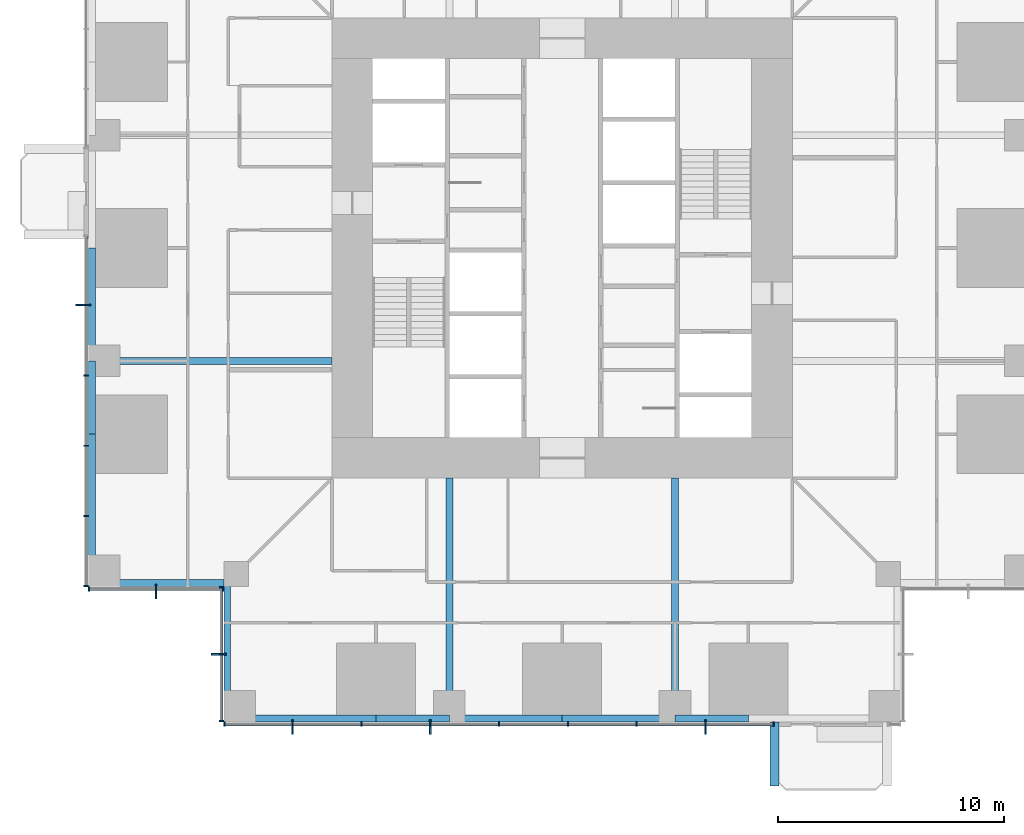
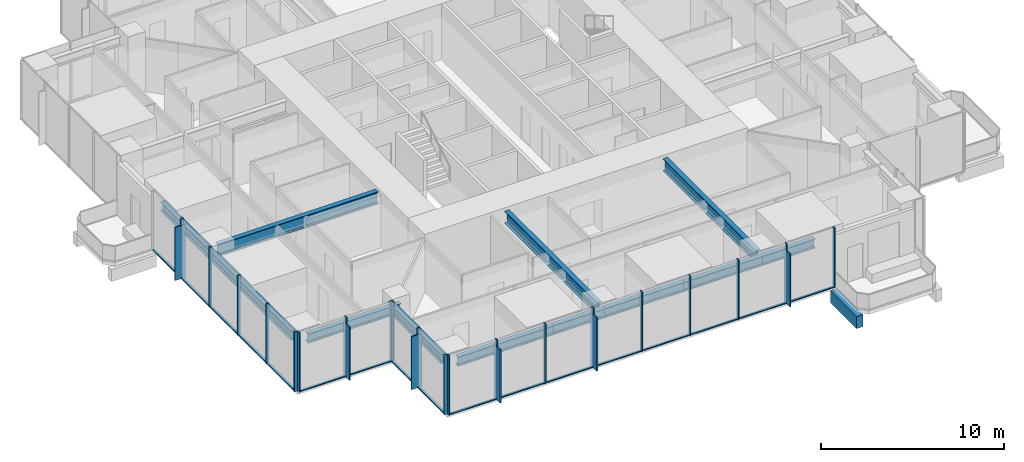
# One storey, part 2 of 17: 43 members, 14 beams, 4 elements without a shape of their own.
"""IFC4 building model written with IfcOpenShell, lengths in metres."""

from ifc_helpers import new_model, si_unit, direction, frame, origin, origin_2d, place, context, subcontext, project, spatial, rectangle, i_section, extrude, material, material_profile, profile_set, type_object, element, aggregate, save


model = new_model("IFC4")

# Units and contexts
model_context = context("Model", 3, precision=1e-05, world=origin(), true_north=direction((0.0, 1.0)))
body_context = subcontext(model_context, "Body", "Model", "MODEL_VIEW")
ifc_project = project(units=[si_unit("LENGTHUNIT", "METRE"), si_unit("AREAUNIT", "SQUARE_METRE"), si_unit("VOLUMEUNIT", "CUBIC_METRE"), si_unit("PLANEANGLEUNIT", "RADIAN"), si_unit("MASSUNIT", "GRAM", prefix="KILO")], contexts=[model_context])

# Site, building, storey
site_placement = place(None, origin())
site = spatial("IfcSite", under=ifc_project, at=site_placement, CompositionType="ELEMENT")
building_placement = place(site_placement, origin())
building = spatial("IfcBuilding", under=site, at=building_placement, Name="Svetlomir Tower", CompositionType="ELEMENT")
storey_placement = place(building_placement, frame((0.0, 0.0, 82.5)))
storey = spatial("IfcBuildingStorey", under=building, at=storey_placement, Name="L19", CompositionType="ELEMENT", Elevation=82.5)

# Beam
ifc_material_1 = material(Name="Concrete C60/75", Category="concrete")
ifc_material_profile_1 = material_profile(ifc_material_1, rectangle(XDim=0.39990234375, YDim=0.800048828125, at=origin_2d()), Name="RC 400x800")
ifc_profile_set_1 = profile_set([ifc_material_profile_1], Name="Concrete C60/75")
beam_type_1 = type_object("IfcBeamType", Name="BALCONY RIB RC 400x800", PredefinedType="BEAM", material=ifc_profile_set_1)
beam_1_placement = place(storey_placement, frame((30.39990234375, 0.0, -0.64990234375), z_axis=(0.0, -1.0, 0.0), x_axis=(1.0, 0.0, 0.0)))
element("IfcBeam", 1, at=beam_1_placement, inside=storey, type_object=beam_type_1, Name="Balcony rib S 1 L19", PredefinedType="BEAM", context=body_context, shape_type="SweptSolid", body=[
    extrude(rectangle(XDim=0.39990234375, YDim=0.800048828125, at=origin_2d()), origin(), (0.0, 0.0, 1.0), 2.85009765625),
])

# Curtain wall, members
ifc_material_2 = material(Name="Bronze anodised aluminium curtain wall", Category="aluminium")
curtain_wall_type = type_object("IfcCurtainWallType", Name="CURTAIN WALL CW1 TOWER OFFICE", PredefinedType="NOTDEFINED", material=ifc_material_2)
curtain_wall_1_placement = place(storey_placement, origin())
curtain_wall_1 = element("IfcCurtainWall", 2, at=curtain_wall_1_placement, inside=storey, type_object=curtain_wall_type, Name="Curtain wall CW1 L19", PredefinedType="NOTDEFINED")
ifc_material_3 = material(Name="Bronze anodised aluminium", Category="aluminium")
ifc_material_profile_2 = material_profile(ifc_material_3, rectangle(XDim=0.080078125, YDim=0.64990234375, at=origin_2d()), Name="FIN 80x650")
ifc_profile_set_2 = profile_set([ifc_material_profile_2], Name="Bronze anodised aluminium 6063-T6")
member_type_1 = type_object("IfcMemberType", Name="BRONZE FIN 80x650", PredefinedType="USERDEFINED", material=ifc_profile_set_2)
member_1_placement = place(storey_placement, frame((9.050048828125, -0.22509765625, 0.0), z_axis=(0.0, 0.0, 1.0), x_axis=(1.0, 0.0, 0.0)))
member_1 = element("IfcMember", 3, at=member_1_placement, type_object=member_type_1, Name="Bronze fin L19", ObjectType="FIN", PredefinedType="USERDEFINED", context=body_context, shape_type="SweptSolid", body=[
    extrude(rectangle(XDim=0.080078125, YDim=0.64990234375, at=origin_2d()), origin(), (0.0, 0.0, 1.0), 3.550048828125),
])
member_2_placement = place(storey_placement, frame((15.14990234375, -0.22509765625, 0.0), z_axis=(0.0, 0.0, 1.0), x_axis=(1.0, 0.0, 0.0)))
member_2 = element("IfcMember", 4, at=member_2_placement, type_object=member_type_1, Name="Bronze fin L19", ObjectType="FIN", PredefinedType="USERDEFINED", context=body_context, shape_type="SweptSolid", body=[
    extrude(rectangle(XDim=0.080078125, YDim=0.64990234375, at=origin_2d()), origin(), (0.0, 0.0, 1.0), 3.550048828125),
])
member_3_placement = place(storey_placement, frame((27.35009765625, -0.22509765625, 0.0), z_axis=(0.0, 0.0, 1.0), x_axis=(1.0, 0.0, 0.0)))
member_3 = element("IfcMember", 5, at=member_3_placement, type_object=member_type_1, Name="Bronze fin L19", ObjectType="FIN", PredefinedType="USERDEFINED", context=body_context, shape_type="SweptSolid", body=[
    extrude(rectangle(XDim=0.080078125, YDim=0.64990234375, at=origin_2d()), origin(), (0.0, 0.0, 1.0), 3.550048828125),
])

# Curtain wall, member
curtain_wall_2_placement = place(storey_placement, origin())
curtain_wall_2 = element("IfcCurtainWall", 6, at=curtain_wall_2_placement, inside=storey, type_object=curtain_wall_type, Name="Curtain wall CW1 L19", PredefinedType="NOTDEFINED")
member_4_placement = place(storey_placement, frame((-0.22509765625, 18.47998046875, 0.0), z_axis=(0.0, 0.0, 1.0), x_axis=(0.0, 1.0, 0.0)))
member_4 = element("IfcMember", 7, at=member_4_placement, type_object=member_type_1, Name="Bronze fin L19", ObjectType="FIN", PredefinedType="USERDEFINED", context=body_context, shape_type="SweptSolid", body=[
    extrude(rectangle(XDim=0.080078125, YDim=0.64990234375, at=origin_2d()), origin(), (0.0, 0.0, 1.0), 3.550048828125),
])

curtain_wall_3_placement = place(storey_placement, origin())
curtain_wall_3 = element("IfcCurtainWall", 8, at=curtain_wall_3_placement, inside=storey, type_object=curtain_wall_type, Name="Curtain wall CW1 L19", PredefinedType="NOTDEFINED")
member_5_placement = place(storey_placement, frame((3.0, 5.77490234375, 0.0), z_axis=(0.0, 0.0, 1.0), x_axis=(1.0, 0.0, 0.0)))
member_5 = element("IfcMember", 9, at=member_5_placement, type_object=member_type_1, Name="Bronze fin L19", ObjectType="FIN", PredefinedType="USERDEFINED", context=body_context, shape_type="SweptSolid", body=[
    extrude(rectangle(XDim=0.080078125, YDim=0.64990234375, at=origin_2d()), origin(), (0.0, 0.0, 1.0), 3.550048828125),
])

curtain_wall_4_placement = place(storey_placement, origin())
curtain_wall_4 = element("IfcCurtainWall", 10, at=curtain_wall_4_placement, inside=storey, type_object=curtain_wall_type, Name="Curtain wall CW1 L19", PredefinedType="NOTDEFINED")
member_6_placement = place(storey_placement, frame((5.77490234375, 3.0, 0.0), z_axis=(0.0, 0.0, 1.0), x_axis=(0.0, 1.0, 0.0)))
member_6 = element("IfcMember", 11, at=member_6_placement, type_object=member_type_1, Name="Bronze fin L19", ObjectType="FIN", PredefinedType="USERDEFINED", context=body_context, shape_type="SweptSolid", body=[
    extrude(rectangle(XDim=0.080078125, YDim=0.64990234375, at=origin_2d()), origin(), (0.0, 0.0, 1.0), 3.550048828125),
])

# Member
ifc_material_4 = material(Name="Bronze anodised aluminium", Category="aluminium")
ifc_material_profile_3 = material_profile(ifc_material_4, rectangle(XDim=0.06494140625, YDim=0.199951171875, at=origin_2d()), Name="AL 65x200")
ifc_profile_set_3 = profile_set([ifc_material_profile_3], Name="Bronze anodised aluminium 6063-T6")
member_type_2 = type_object("IfcMemberType", Name="CW1 MULLION 65x200", PredefinedType="MULLION", material=ifc_profile_set_3)
member_7_placement = place(storey_placement, frame((6.032470703125, -0.10009765625, 0.0), z_axis=(0.0, 0.0, 1.0), x_axis=(1.0, 0.0, 0.0)))
member_7 = element("IfcMember", 12, at=member_7_placement, type_object=member_type_2, Name="CW1 mullion 1", PredefinedType="MULLION", context=body_context, shape_type="SweptSolid", body=[
    extrude(rectangle(XDim=0.06494140625, YDim=0.199951171875, at=origin_2d()), origin(), (0.0, 0.0, 1.0), 4.0),
])

member_8_placement = place(storey_placement, frame((9.050048828125, -0.10009765625, 0.0), z_axis=(0.0, 0.0, 1.0), x_axis=(1.0, 0.0, 0.0)))
member_8 = element("IfcMember", 13, at=member_8_placement, type_object=member_type_2, Name="CW1 mullion 2", PredefinedType="MULLION", context=body_context, shape_type="SweptSolid", body=[
    extrude(rectangle(XDim=0.06494140625, YDim=0.199951171875, at=origin_2d()), origin(), (0.0, 0.0, 1.0), 4.0),
])

member_9_placement = place(storey_placement, frame((12.10009765625, -0.10009765625, 0.0), z_axis=(0.0, 0.0, 1.0), x_axis=(1.0, 0.0, 0.0)))
member_9 = element("IfcMember", 14, at=member_9_placement, type_object=member_type_2, Name="CW1 mullion 3", PredefinedType="MULLION", context=body_context, shape_type="SweptSolid", body=[
    extrude(rectangle(XDim=0.06494140625, YDim=0.199951171875, at=origin_2d()), origin(), (0.0, 0.0, 1.0), 4.0),
])

member_10_placement = place(storey_placement, frame((15.14990234375, -0.10009765625, 0.0), z_axis=(0.0, 0.0, 1.0), x_axis=(1.0, 0.0, 0.0)))
member_10 = element("IfcMember", 15, at=member_10_placement, type_object=member_type_2, Name="CW1 mullion 4", PredefinedType="MULLION", context=body_context, shape_type="SweptSolid", body=[
    extrude(rectangle(XDim=0.06494140625, YDim=0.199951171875, at=origin_2d()), origin(), (0.0, 0.0, 1.0), 4.0),
])

member_11_placement = place(storey_placement, frame((18.199951171875, -0.10009765625, 0.0), z_axis=(0.0, 0.0, 1.0), x_axis=(1.0, 0.0, 0.0)))
member_11 = element("IfcMember", 16, at=member_11_placement, type_object=member_type_2, Name="CW1 mullion 5", PredefinedType="MULLION", context=body_context, shape_type="SweptSolid", body=[
    extrude(rectangle(XDim=0.06494140625, YDim=0.199951171875, at=origin_2d()), origin(), (0.0, 0.0, 1.0), 4.0),
])

member_12_placement = place(storey_placement, frame((21.25, -0.10009765625, 0.0), z_axis=(0.0, 0.0, 1.0), x_axis=(1.0, 0.0, 0.0)))
member_12 = element("IfcMember", 17, at=member_12_placement, type_object=member_type_2, Name="CW1 mullion 6", PredefinedType="MULLION", context=body_context, shape_type="SweptSolid", body=[
    extrude(rectangle(XDim=0.06494140625, YDim=0.199951171875, at=origin_2d()), origin(), (0.0, 0.0, 1.0), 4.0),
])

member_13_placement = place(storey_placement, frame((24.300048828125, -0.10009765625, 0.0), z_axis=(0.0, 0.0, 1.0), x_axis=(1.0, 0.0, 0.0)))
member_13 = element("IfcMember", 18, at=member_13_placement, type_object=member_type_2, Name="CW1 mullion 7", PredefinedType="MULLION", context=body_context, shape_type="SweptSolid", body=[
    extrude(rectangle(XDim=0.06494140625, YDim=0.199951171875, at=origin_2d()), origin(), (0.0, 0.0, 1.0), 4.0),
])

member_14_placement = place(storey_placement, frame((27.35009765625, -0.10009765625, 0.0), z_axis=(0.0, 0.0, 1.0), x_axis=(1.0, 0.0, 0.0)))
member_14 = element("IfcMember", 19, at=member_14_placement, type_object=member_type_2, Name="CW1 mullion 8", PredefinedType="MULLION", context=body_context, shape_type="SweptSolid", body=[
    extrude(rectangle(XDim=0.06494140625, YDim=0.199951171875, at=origin_2d()), origin(), (0.0, 0.0, 1.0), 4.0),
])

member_15_placement = place(storey_placement, frame((30.367431640625, -0.10009765625, 0.0), z_axis=(0.0, 0.0, 1.0), x_axis=(1.0, 0.0, 0.0)))
member_15 = element("IfcMember", 20, at=member_15_placement, type_object=member_type_2, Name="CW1 mullion 9", PredefinedType="MULLION", context=body_context, shape_type="SweptSolid", body=[
    extrude(rectangle(XDim=0.06494140625, YDim=0.199951171875, at=origin_2d()), origin(), (0.0, 0.0, 1.0), 4.0),
])

member_16_placement = place(storey_placement, frame((-0.10009765625, 18.47998046875, 0.0), z_axis=(0.0, 0.0, 1.0), x_axis=(0.0, -1.0, 0.0)))
member_16 = element("IfcMember", 21, at=member_16_placement, type_object=member_type_2, Name="CW1 mullion 2", PredefinedType="MULLION", context=body_context, shape_type="SweptSolid", body=[
    extrude(rectangle(XDim=0.06494140625, YDim=0.199951171875, at=origin_2d()), origin(), (0.0, 0.0, 1.0), 4.0),
])

member_17_placement = place(storey_placement, frame((-0.10009765625, 15.360107421875, 0.0), z_axis=(0.0, 0.0, 1.0), x_axis=(0.0, -1.0, 0.0)))
member_17 = element("IfcMember", 22, at=member_17_placement, type_object=member_type_2, Name="CW1 mullion 3", PredefinedType="MULLION", context=body_context, shape_type="SweptSolid", body=[
    extrude(rectangle(XDim=0.06494140625, YDim=0.199951171875, at=origin_2d()), origin(), (0.0, 0.0, 1.0), 4.0),
])

member_18_placement = place(storey_placement, frame((-0.10009765625, 12.239990234375, 0.0), z_axis=(0.0, 0.0, 1.0), x_axis=(0.0, -1.0, 0.0)))
member_18 = element("IfcMember", 23, at=member_18_placement, type_object=member_type_2, Name="CW1 mullion 4", PredefinedType="MULLION", context=body_context, shape_type="SweptSolid", body=[
    extrude(rectangle(XDim=0.06494140625, YDim=0.199951171875, at=origin_2d()), origin(), (0.0, 0.0, 1.0), 4.0),
])

member_19_placement = place(storey_placement, frame((-0.10009765625, 9.1201171875, 0.0), z_axis=(0.0, 0.0, 1.0), x_axis=(0.0, -1.0, 0.0)))
member_19 = element("IfcMember", 24, at=member_19_placement, type_object=member_type_2, Name="CW1 mullion 5", PredefinedType="MULLION", context=body_context, shape_type="SweptSolid", body=[
    extrude(rectangle(XDim=0.06494140625, YDim=0.199951171875, at=origin_2d()), origin(), (0.0, 0.0, 1.0), 4.0),
])

member_20_placement = place(storey_placement, frame((-0.10009765625, 6.032470703125, 0.0), z_axis=(0.0, 0.0, 1.0), x_axis=(0.0, -1.0, 0.0)))
member_20 = element("IfcMember", 25, at=member_20_placement, type_object=member_type_2, Name="CW1 mullion 6", PredefinedType="MULLION", context=body_context, shape_type="SweptSolid", body=[
    extrude(rectangle(XDim=0.06494140625, YDim=0.199951171875, at=origin_2d()), origin(), (0.0, 0.0, 1.0), 4.0),
])

member_21_placement = place(storey_placement, frame((0.032470703125, 5.89990234375, 0.0), z_axis=(0.0, 0.0, 1.0), x_axis=(1.0, 0.0, 0.0)))
member_21 = element("IfcMember", 26, at=member_21_placement, type_object=member_type_2, Name="CW1 mullion 1", PredefinedType="MULLION", context=body_context, shape_type="SweptSolid", body=[
    extrude(rectangle(XDim=0.06494140625, YDim=0.199951171875, at=origin_2d()), origin(), (0.0, 0.0, 1.0), 4.0),
])

member_22_placement = place(storey_placement, frame((3.0, 5.89990234375, 0.0), z_axis=(0.0, 0.0, 1.0), x_axis=(1.0, 0.0, 0.0)))
member_22 = element("IfcMember", 27, at=member_22_placement, type_object=member_type_2, Name="CW1 mullion 2", PredefinedType="MULLION", context=body_context, shape_type="SweptSolid", body=[
    extrude(rectangle(XDim=0.06494140625, YDim=0.199951171875, at=origin_2d()), origin(), (0.0, 0.0, 1.0), 4.0),
])

member_23_placement = place(storey_placement, frame((5.967529296875, 5.89990234375, 0.0), z_axis=(0.0, 0.0, 1.0), x_axis=(1.0, 0.0, 0.0)))
member_23 = element("IfcMember", 28, at=member_23_placement, type_object=member_type_2, Name="CW1 mullion 3", PredefinedType="MULLION", context=body_context, shape_type="SweptSolid", body=[
    extrude(rectangle(XDim=0.06494140625, YDim=0.199951171875, at=origin_2d()), origin(), (0.0, 0.0, 1.0), 4.0),
])

member_24_placement = place(storey_placement, frame((5.89990234375, 5.967529296875, 0.0), z_axis=(0.0, 0.0, 1.0), x_axis=(0.0, -1.0, 0.0)))
member_24 = element("IfcMember", 29, at=member_24_placement, type_object=member_type_2, Name="CW1 mullion 1", PredefinedType="MULLION", context=body_context, shape_type="SweptSolid", body=[
    extrude(rectangle(XDim=0.06494140625, YDim=0.199951171875, at=origin_2d()), origin(), (0.0, 0.0, 1.0), 4.0),
])

member_25_placement = place(storey_placement, frame((5.89990234375, 3.0, 0.0), z_axis=(0.0, 0.0, 1.0), x_axis=(0.0, -1.0, 0.0)))
member_25 = element("IfcMember", 30, at=member_25_placement, type_object=member_type_2, Name="CW1 mullion 2", PredefinedType="MULLION", context=body_context, shape_type="SweptSolid", body=[
    extrude(rectangle(XDim=0.06494140625, YDim=0.199951171875, at=origin_2d()), origin(), (0.0, 0.0, 1.0), 4.0),
])

member_26_placement = place(storey_placement, frame((5.89990234375, 0.032470703125, 0.0), z_axis=(0.0, 0.0, 1.0), x_axis=(0.0, -1.0, 0.0)))
member_26 = element("IfcMember", 31, at=member_26_placement, type_object=member_type_2, Name="CW1 mullion 3", PredefinedType="MULLION", context=body_context, shape_type="SweptSolid", body=[
    extrude(rectangle(XDim=0.06494140625, YDim=0.199951171875, at=origin_2d()), origin(), (0.0, 0.0, 1.0), 4.0),
])

ifc_material_5 = material(Name="Bronze anodised aluminium", Category="aluminium")
ifc_material_profile_4 = material_profile(ifc_material_5, rectangle(XDim=0.139892578125, YDim=0.06494140625, at=origin_2d()), Name="AL 140x65")
ifc_profile_set_4 = profile_set([ifc_material_profile_4], Name="Bronze anodised aluminium 6063-T6")
member_type_3 = type_object("IfcMemberType", Name="CW1 TRANSOM 65x140", PredefinedType="USERDEFINED", material=ifc_profile_set_4)
member_27_placement = place(storey_placement, frame((6.06494140625, -0.10009765625, 0.032470703125), z_axis=(1.0, 0.0, 0.0), x_axis=(0.0, 1.0, 0.0)))
member_27 = element("IfcMember", 32, at=member_27_placement, type_object=member_type_3, Name="CW1 transom 1.1", ObjectType="TRANSOM", PredefinedType="USERDEFINED", context=body_context, shape_type="SweptSolid", body=[
    extrude(rectangle(XDim=0.139892578125, YDim=0.06494140625, at=origin_2d()), origin(), (0.0, 0.0, 1.0), 2.95263671875),
])

member_28_placement = place(storey_placement, frame((9.08251953125, -0.10009765625, 0.032470703125), z_axis=(1.0, 0.0, 0.0), x_axis=(0.0, 1.0, 0.0)))
member_28 = element("IfcMember", 33, at=member_28_placement, type_object=member_type_3, Name="CW1 transom 2.1", ObjectType="TRANSOM", PredefinedType="USERDEFINED", context=body_context, shape_type="SweptSolid", body=[
    extrude(rectangle(XDim=0.139892578125, YDim=0.06494140625, at=origin_2d()), origin(), (0.0, 0.0, 1.0), 2.98486328125),
])

member_29_placement = place(storey_placement, frame((12.132568359375, -0.10009765625, 0.032470703125), z_axis=(1.0, 0.0, 0.0), x_axis=(0.0, 1.0, 0.0)))
member_29 = element("IfcMember", 34, at=member_29_placement, type_object=member_type_3, Name="CW1 transom 3.1", ObjectType="TRANSOM", PredefinedType="USERDEFINED", context=body_context, shape_type="SweptSolid", body=[
    extrude(rectangle(XDim=0.139892578125, YDim=0.06494140625, at=origin_2d()), origin(), (0.0, 0.0, 1.0), 2.98486328125),
])

member_30_placement = place(storey_placement, frame((15.1826171875, -0.10009765625, 0.032470703125), z_axis=(1.0, 0.0, 0.0), x_axis=(0.0, 1.0, 0.0)))
member_30 = element("IfcMember", 35, at=member_30_placement, type_object=member_type_3, Name="CW1 transom 4.1", ObjectType="TRANSOM", PredefinedType="USERDEFINED", context=body_context, shape_type="SweptSolid", body=[
    extrude(rectangle(XDim=0.139892578125, YDim=0.06494140625, at=origin_2d()), origin(), (0.0, 0.0, 1.0), 2.98486328125),
])

member_31_placement = place(storey_placement, frame((18.232421875, -0.10009765625, 0.032470703125), z_axis=(1.0, 0.0, 0.0), x_axis=(0.0, 1.0, 0.0)))
member_31 = element("IfcMember", 36, at=member_31_placement, type_object=member_type_3, Name="CW1 transom 5.1", ObjectType="TRANSOM", PredefinedType="USERDEFINED", context=body_context, shape_type="SweptSolid", body=[
    extrude(rectangle(XDim=0.139892578125, YDim=0.06494140625, at=origin_2d()), origin(), (0.0, 0.0, 1.0), 2.985107421875),
])

member_32_placement = place(storey_placement, frame((21.282470703125, -0.10009765625, 0.032470703125), z_axis=(1.0, 0.0, 0.0), x_axis=(0.0, 1.0, 0.0)))
member_32 = element("IfcMember", 37, at=member_32_placement, type_object=member_type_3, Name="CW1 transom 6.1", ObjectType="TRANSOM", PredefinedType="USERDEFINED", context=body_context, shape_type="SweptSolid", body=[
    extrude(rectangle(XDim=0.139892578125, YDim=0.06494140625, at=origin_2d()), origin(), (0.0, 0.0, 1.0), 2.985107421875),
])

member_33_placement = place(storey_placement, frame((24.33251953125, -0.10009765625, 0.032470703125), z_axis=(1.0, 0.0, 0.0), x_axis=(0.0, 1.0, 0.0)))
member_33 = element("IfcMember", 38, at=member_33_placement, type_object=member_type_3, Name="CW1 transom 7.1", ObjectType="TRANSOM", PredefinedType="USERDEFINED", context=body_context, shape_type="SweptSolid", body=[
    extrude(rectangle(XDim=0.139892578125, YDim=0.06494140625, at=origin_2d()), origin(), (0.0, 0.0, 1.0), 2.98486328125),
])

member_34_placement = place(storey_placement, frame((27.382568359375, -0.10009765625, 0.032470703125), z_axis=(1.0, 0.0, 0.0), x_axis=(0.0, 1.0, 0.0)))
member_34 = element("IfcMember", 39, at=member_34_placement, type_object=member_type_3, Name="CW1 transom 8.1", ObjectType="TRANSOM", PredefinedType="USERDEFINED", context=body_context, shape_type="SweptSolid", body=[
    extrude(rectangle(XDim=0.139892578125, YDim=0.06494140625, at=origin_2d()), origin(), (0.0, 0.0, 1.0), 2.952392578125),
])

aggregate(curtain_wall_1, [member_7, member_8, member_9, member_10, member_11, member_12, member_13, member_14, member_15, member_27, member_28, member_29, member_30, member_31, member_32, member_33, member_34, member_1, member_2, member_3])

member_35_placement = place(storey_placement, frame((-0.10009765625, 21.534912109375, 0.032470703125), z_axis=(0.0, -1.0, 0.0), x_axis=(1.0, 0.0, 0.0)))
member_35 = element("IfcMember", 40, at=member_35_placement, type_object=member_type_3, Name="CW1 transom 1.1", ObjectType="TRANSOM", PredefinedType="USERDEFINED", context=body_context, shape_type="SweptSolid", body=[
    extrude(rectangle(XDim=0.139892578125, YDim=0.06494140625, at=origin_2d()), origin(), (0.0, 0.0, 1.0), 3.0224609375),
])

member_36_placement = place(storey_placement, frame((-0.10009765625, 18.447509765625, 0.032470703125), z_axis=(0.0, -1.0, 0.0), x_axis=(1.0, 0.0, 0.0)))
member_36 = element("IfcMember", 41, at=member_36_placement, type_object=member_type_3, Name="CW1 transom 2.1", ObjectType="TRANSOM", PredefinedType="USERDEFINED", context=body_context, shape_type="SweptSolid", body=[
    extrude(rectangle(XDim=0.139892578125, YDim=0.06494140625, at=origin_2d()), origin(), (0.0, 0.0, 1.0), 3.054931640625),
])

member_37_placement = place(storey_placement, frame((-0.10009765625, 15.327392578125, 0.032470703125), z_axis=(0.0, -1.0, 0.0), x_axis=(1.0, 0.0, 0.0)))
member_37 = element("IfcMember", 42, at=member_37_placement, type_object=member_type_3, Name="CW1 transom 3.1", ObjectType="TRANSOM", PredefinedType="USERDEFINED", context=body_context, shape_type="SweptSolid", body=[
    extrude(rectangle(XDim=0.139892578125, YDim=0.06494140625, at=origin_2d()), origin(), (0.0, 0.0, 1.0), 3.054931640625),
])

member_38_placement = place(storey_placement, frame((-0.10009765625, 12.20751953125, 0.032470703125), z_axis=(0.0, -1.0, 0.0), x_axis=(1.0, 0.0, 0.0)))
member_38 = element("IfcMember", 43, at=member_38_placement, type_object=member_type_3, Name="CW1 transom 4.1", ObjectType="TRANSOM", PredefinedType="USERDEFINED", context=body_context, shape_type="SweptSolid", body=[
    extrude(rectangle(XDim=0.139892578125, YDim=0.06494140625, at=origin_2d()), origin(), (0.0, 0.0, 1.0), 3.054931640625),
])

member_39_placement = place(storey_placement, frame((-0.10009765625, 9.08740234375, 0.032470703125), z_axis=(0.0, -1.0, 0.0), x_axis=(1.0, 0.0, 0.0)))
member_39 = element("IfcMember", 44, at=member_39_placement, type_object=member_type_3, Name="CW1 transom 5.1", ObjectType="TRANSOM", PredefinedType="USERDEFINED", context=body_context, shape_type="SweptSolid", body=[
    extrude(rectangle(XDim=0.139892578125, YDim=0.06494140625, at=origin_2d()), origin(), (0.0, 0.0, 1.0), 3.0224609375),
])

aggregate(curtain_wall_2, [member_16, member_17, member_18, member_19, member_20, member_35, member_36, member_37, member_38, member_39, member_4])

member_40_placement = place(storey_placement, frame((0.06494140625, 5.89990234375, 0.032470703125), z_axis=(1.0, 0.0, 0.0), x_axis=(0.0, 1.0, 0.0)))
member_40 = element("IfcMember", 45, at=member_40_placement, type_object=member_type_3, Name="CW1 transom 1.1", ObjectType="TRANSOM", PredefinedType="USERDEFINED", context=body_context, shape_type="SweptSolid", body=[
    extrude(rectangle(XDim=0.139892578125, YDim=0.06494140625, at=origin_2d()), origin(), (0.0, 0.0, 1.0), 2.902587890625),
])

member_41_placement = place(storey_placement, frame((3.032470703125, 5.89990234375, 0.032470703125), z_axis=(1.0, 0.0, 0.0), x_axis=(0.0, 1.0, 0.0)))
member_41 = element("IfcMember", 46, at=member_41_placement, type_object=member_type_3, Name="CW1 transom 2.1", ObjectType="TRANSOM", PredefinedType="USERDEFINED", context=body_context, shape_type="SweptSolid", body=[
    extrude(rectangle(XDim=0.139892578125, YDim=0.06494140625, at=origin_2d()), origin(), (0.0, 0.0, 1.0), 2.902587890625),
])

aggregate(curtain_wall_3, [member_21, member_22, member_23, member_40, member_41, member_5])

member_42_placement = place(storey_placement, frame((5.89990234375, 5.93505859375, 0.032470703125), z_axis=(0.0, -1.0, 0.0), x_axis=(1.0, 0.0, 0.0)))
member_42 = element("IfcMember", 47, at=member_42_placement, type_object=member_type_3, Name="CW1 transom 1.1", ObjectType="TRANSOM", PredefinedType="USERDEFINED", context=body_context, shape_type="SweptSolid", body=[
    extrude(rectangle(XDim=0.139892578125, YDim=0.06494140625, at=origin_2d()), origin(), (0.0, 0.0, 1.0), 2.902587890625),
])

member_43_placement = place(storey_placement, frame((5.89990234375, 2.967529296875, 0.032470703125), z_axis=(0.0, -1.0, 0.0), x_axis=(1.0, 0.0, 0.0)))
member_43 = element("IfcMember", 48, at=member_43_placement, type_object=member_type_3, Name="CW1 transom 2.1", ObjectType="TRANSOM", PredefinedType="USERDEFINED", context=body_context, shape_type="SweptSolid", body=[
    extrude(rectangle(XDim=0.139892578125, YDim=0.06494140625, at=origin_2d()), origin(), (0.0, 0.0, 1.0), 2.902587890625),
])

aggregate(curtain_wall_4, [member_24, member_25, member_26, member_42, member_43, member_6])

# Beams
ifc_material_6 = material(Name="Steel S355", Category="steel")
ifc_material_profile_5 = material_profile(ifc_material_6, i_section(OverallWidth=0.304931640625, OverallDepth=0.6201171875, WebThickness=0.02099609375, FlangeThickness=0.0400390625, FilletRadius=0.027099609375, at=origin_2d()), Name="HEM 600")
ifc_profile_set_5 = profile_set([ifc_material_profile_5], Name="Steel S355")
beam_type_2 = type_object("IfcBeamType", Name="EDGE BEAM HEM 600", PredefinedType="SPANDREL", material=ifc_profile_set_5)
for number, where, z_axis, x_axis, name in (
    (49, (6.699951171875, 0.152587890625, 3.239990234375), (1.0, 0.0, 0.0), (0.0, 1.0, 0.0), "Edge beam 6/0 to 11/0 under L20"),
    (50, (0.152587890625, 6.699951171875, 3.239990234375), (0.0, 1.0, 0.0), (-1.0, 0.0, 0.0), "Edge beam 0/6 to 0/11 under L20"),
):
    element("IfcBeam", number, at=place(storey_placement, frame(where, z_axis=z_axis, x_axis=x_axis)), inside=storey, type_object=beam_type_2, Name=name, PredefinedType="SPANDREL", context=body_context, shape_type="SweptSolid", body=[
        extrude(i_section(OverallWidth=0.304931640625, OverallDepth=0.6201171875, WebThickness=0.02099609375, FlangeThickness=0.0400390625, FilletRadius=0.027099609375, at=origin_2d()), origin(), (0.0, 0.0, 1.0), 6.050048828125),
    ])
for number, where, z_axis, x_axis, name in (
    (51, (12.75, 0.152587890625, 3.239990234375), (1.0, 0.0, 0.0), (0.0, 1.0, 0.0), "Edge beam 11/0 to 16/0 under L20"),
    (52, (0.152587890625, 12.75, 3.239990234375), (0.0, 1.0, 0.0), (-1.0, 0.0, 0.0), "Edge beam 0/11 to 0/16 under L20"),
):
    element("IfcBeam", number, at=place(storey_placement, frame(where, z_axis=z_axis, x_axis=x_axis)), inside=storey, type_object=beam_type_2, Name=name, PredefinedType="SPANDREL", context=body_context, shape_type="SweptSolid", body=[
        extrude(i_section(OverallWidth=0.304931640625, OverallDepth=0.6201171875, WebThickness=0.02099609375, FlangeThickness=0.0400390625, FilletRadius=0.027099609375, at=origin_2d()), origin(), (0.0, 0.0, 1.0), 3.25),
    ])
for number, where, z_axis, x_axis, name in (
    (53, (16.0, 0.152587890625, 3.239990234375), (1.0, 0.0, 0.0), (0.0, 1.0, 0.0), "Edge beam 16/0 to 21/0 under L20"),
    (54, (0.152587890625, 16.0, 3.239990234375), (0.0, 1.0, 0.0), (-1.0, 0.0, 0.0), "Edge beam 0/16 to 0/21 under L20"),
    (55, (21.0, 0.152587890625, 3.239990234375), (1.0, 0.0, 0.0), (0.0, 1.0, 0.0), "Edge beam 21/0 to 26/0 under L20"),
):
    element("IfcBeam", number, at=place(storey_placement, frame(where, z_axis=z_axis, x_axis=x_axis)), inside=storey, type_object=beam_type_2, Name=name, PredefinedType="SPANDREL", context=body_context, shape_type="SweptSolid", body=[
        extrude(i_section(OverallWidth=0.304931640625, OverallDepth=0.6201171875, WebThickness=0.02099609375, FlangeThickness=0.0400390625, FilletRadius=0.027099609375, at=origin_2d()), origin(), (0.0, 0.0, 1.0), 5.0),
    ])
beam_2_placement = place(storey_placement, frame((26.0, 0.152587890625, 3.239990234375), z_axis=(1.0, 0.0, 0.0), x_axis=(0.0, 1.0, 0.0)))
element("IfcBeam", 56, at=beam_2_placement, inside=storey, type_object=beam_type_2, Name="Edge beam 26/0 to 31/0 under L20", PredefinedType="SPANDREL", context=body_context, shape_type="SweptSolid", body=[
    extrude(i_section(OverallWidth=0.304931640625, OverallDepth=0.6201171875, WebThickness=0.02099609375, FlangeThickness=0.0400390625, FilletRadius=0.027099609375, at=origin_2d()), origin(), (0.0, 0.0, 1.0), 3.25),
])
for number, where, z_axis, x_axis, name in (
    (57, (6.152587890625, 0.699951171875, 3.239990234375), (0.0, 1.0, 0.0), (-1.0, 0.0, 0.0), "Edge beam 6/0 to 6/6 under L20"),
    (58, (0.699951171875, 6.152587890625, 3.239990234375), (1.0, 0.0, 0.0), (0.0, 1.0, 0.0), "Edge beam 0/6 to 6/6 under L20"),
):
    element("IfcBeam", number, at=place(storey_placement, frame(where, z_axis=z_axis, x_axis=x_axis)), inside=storey, type_object=beam_type_2, Name=name, PredefinedType="SPANDREL", context=body_context, shape_type="SweptSolid", body=[
        extrude(i_section(OverallWidth=0.304931640625, OverallDepth=0.6201171875, WebThickness=0.02099609375, FlangeThickness=0.0400390625, FilletRadius=0.027099609375, at=origin_2d()), origin(), (0.0, 0.0, 1.0), 5.85009765625),
    ])
ifc_material_7 = material(Name="Steel S355", Category="steel")
ifc_material_profile_6 = material_profile(ifc_material_7, i_section(OverallWidth=0.302978515625, OverallDepth=0.81396484375, WebThickness=0.02099609375, FlangeThickness=0.0400390625, FilletRadius=0.030029296875, at=origin_2d()), Name="HEM 800")
ifc_profile_set_6 = profile_set([ifc_material_profile_6], Name="Steel S355")
beam_type_3 = type_object("IfcBeamType", Name="PLANT FLOOR BEAM HEM 800", PredefinedType="BEAM", material=ifc_profile_set_6)
for number, where, z_axis, x_axis, name in (
    (59, (16.0, 0.699951171875, 3.14306640625), (0.0, 1.0, 0.0), (-1.0, 0.0, 0.0), "Plant floor beam S 16 under L20"),
    (60, (0.699951171875, 16.0, 3.14306640625), (1.0, 0.0, 0.0), (0.0, 1.0, 0.0), "Plant floor beam W 16 under L20"),
    (61, (26.0, 0.699951171875, 3.14306640625), (0.0, 1.0, 0.0), (-1.0, 0.0, 0.0), "Plant floor beam S 26 under L20"),
):
    element("IfcBeam", number, at=place(storey_placement, frame(where, z_axis=z_axis, x_axis=x_axis)), inside=storey, type_object=beam_type_3, Name=name, PredefinedType="BEAM", context=body_context, shape_type="SweptSolid", body=[
        extrude(i_section(OverallWidth=0.302978515625, OverallDepth=0.81396484375, WebThickness=0.02099609375, FlangeThickness=0.0400390625, FilletRadius=0.030029296875, at=origin_2d()), origin(), (0.0, 0.0, 1.0), 10.10009765625),
    ])

save(model, "model.ifc")
